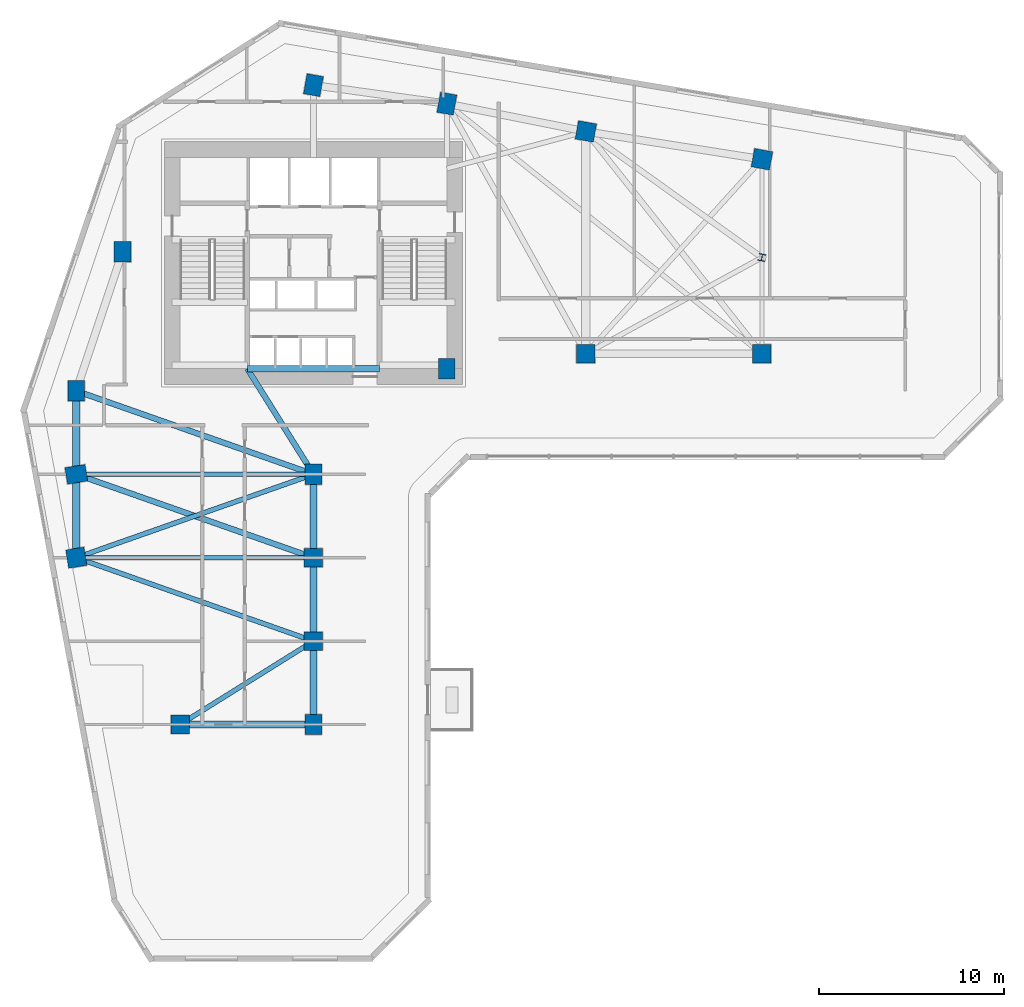
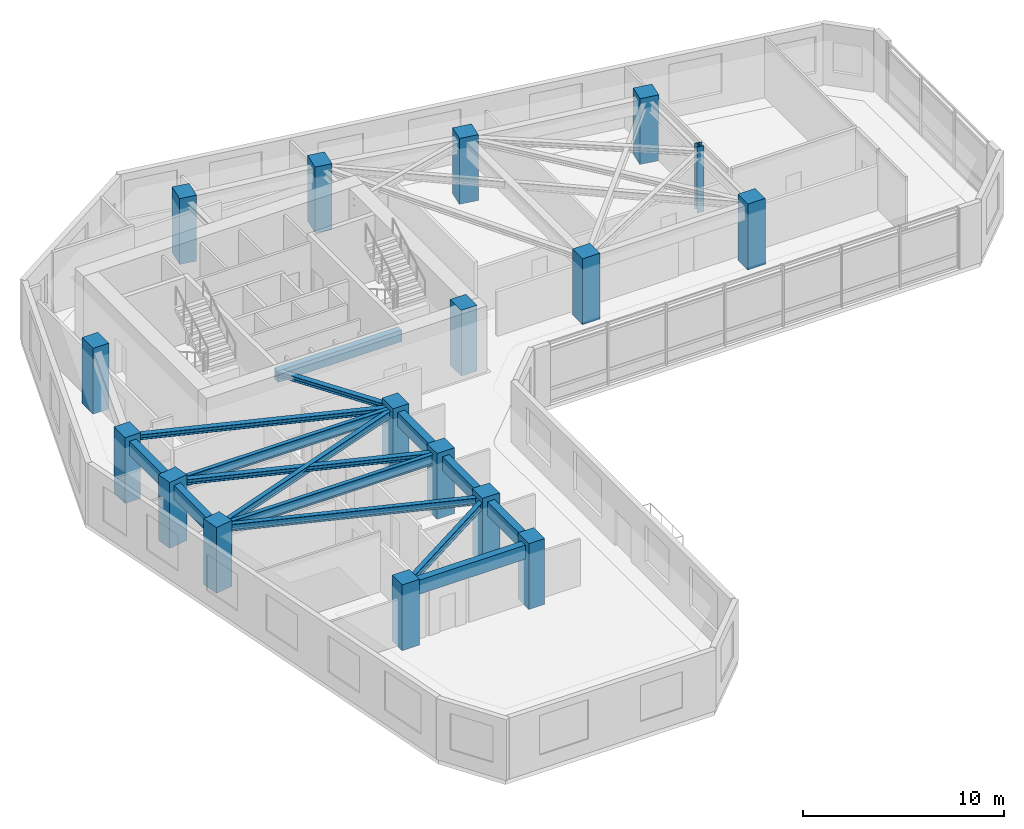
# One storey, part 1 of 11: 17 columns, 15 beams.
"""IFC4 building model written with IfcOpenShell, lengths in metres."""

from ifc_helpers import new_model, si_unit, direction, frame, origin, origin_2d, place, context, subcontext, project, spatial, rectangle, i_section, extrude, source, transform, mapped, material, material_profile, profile_set, type_object, element, save


model = new_model("IFC4")

# Units and contexts
model_context = context("Model", 3, precision=1e-05, world=origin(), true_north=direction((0.0, 1.0)))
body_context = subcontext(model_context, "Body", "Model", "MODEL_VIEW")
ifc_project = project(units=[si_unit("LENGTHUNIT", "METRE"), si_unit("AREAUNIT", "SQUARE_METRE"), si_unit("VOLUMEUNIT", "CUBIC_METRE"), si_unit("PLANEANGLEUNIT", "RADIAN"), si_unit("MASSUNIT", "GRAM", prefix="KILO")], contexts=[model_context])

# Site, building, storey
site_placement = place(None, origin())
site = spatial("IfcSite", under=ifc_project, at=site_placement, CompositionType="ELEMENT")
building_placement = place(site_placement, origin())
building = spatial("IfcBuilding", under=site, at=building_placement, Name="Calvemar Wedge Station Tower", CompositionType="ELEMENT")
storey_placement = place(building_placement, frame((0.0, 0.0, 59.0)))
storey = spatial("IfcBuildingStorey", under=building, at=storey_placement, Name="L14", CompositionType="ELEMENT", Elevation=59.0)

# Columns
ifc_material_1 = material(Name="Concrete C70", Category="concrete")
ifc_material_profile_1 = material_profile(ifc_material_1, rectangle(XDim=0.89990234375, YDim=1.10009765625, at=origin_2d()), Name="RC1100x900")
ifc_profile_set_1 = profile_set([ifc_material_profile_1], Name="Concrete C70")
column_type_1 = type_object("IfcColumnType", Name="COL-C3-1100x900", PredefinedType="COLUMN", material=ifc_profile_set_1)
shared_shape_1 = source(origin(), body_context, "Body", "SweptSolid", [
    extrude(rectangle(XDim=0.89990234375, YDim=1.10009765625, at=origin_2d()), origin(), (0.0, 0.0, 1.0), 4.0),
])
for number, where, z_axis, x_axis, name in (
    (1, (11.0, 33.0, 0.0), (0.0, 0.0, 1.0), (1.0, 0.0, 0.0), "Storey L14 Column T-NW1"),
    (2, (13.5, 40.5, 0.0), (0.0, 0.0, 1.0), (1.0, 0.0, 0.0), "Storey L14 Column T-NW2"),
    (3, (23.800048828125, 49.5, 0.0), (0.0, 0.0, 1.0), (0.984195607969, -0.17708474032, 0.0), "Storey L14 Column T-N1"),
    (4, (31.0, 48.5, 0.0), (0.0, 0.0, 1.0), (0.984195607969, -0.17708474032, 0.0), "Storey L14 Column T-N2"),
    (5, (31.0, 34.199951171875, 0.0), (0.0, 0.0, 1.0), (1.0, 0.0, 0.0), "Storey L14 Column T-NL1"),
    (6, (11.0, 28.5, 0.0), (0.0, 0.0, 1.0), (0.158158067254, -0.987413806751, 0.0), "Storey L14 Column T-SW1"),
    (7, (23.800048828125, 28.5, 0.0), (0.0, 0.0, 1.0), (1.0, 0.0, 0.0), "Storey L14 Column T-SE1"),
    (8, (23.800048828125, 15.0, 0.0), (0.0, 0.0, 1.0), (1.0, 0.0, 0.0), "Storey L14 Column T-SE4"),
):
    element("IfcColumn", number, at=place(storey_placement, frame(where, z_axis=z_axis, x_axis=x_axis)), inside=storey, type_object=column_type_1, Name=name, PredefinedType="COLUMN", context=body_context, shape_type="MappedRepresentation", body=[
        mapped(shared_shape_1, transform((0.0, 0.0, 0.0), scale=1.0)),
    ])
ifc_material_2 = material(Name="Concrete C60", Category="concrete")
ifc_material_profile_2 = material_profile(ifc_material_2, rectangle(XDim=1.0, YDim=1.0, at=origin_2d()), Name="RC1000x1000")
ifc_profile_set_2 = profile_set([ifc_material_profile_2], Name="Concrete C60")
column_type_2 = type_object("IfcColumnType", Name="COL-C4-1000", PredefinedType="COLUMN", material=ifc_profile_set_2)
shared_shape_2 = source(origin(), body_context, "Body", "SweptSolid", [
    extrude(rectangle(XDim=1.0, YDim=1.0, at=origin_2d()), origin(), (0.0, 0.0, 1.0), 4.0),
])
for number, where, z_axis, x_axis, name in (
    (9, (38.5, 47.0, 0.0), (0.0, 0.0, 1.0), (0.984195607969, -0.17708474032, 0.0), "Storey L14 Column T-NU3"),
    (10, (48.0, 45.5, 0.0), (0.0, 0.0, 1.0), (0.984195607969, -0.17708474032, 0.0), "Storey L14 Column T-NU4"),
    (11, (38.5, 35.0, 0.0), (0.0, 0.0, 1.0), (1.0, 0.0, 0.0), "Storey L14 Column T-NL2"),
    (12, (48.0, 35.0, 0.0), (0.0, 0.0, 1.0), (1.0, 0.0, 0.0), "Storey L14 Column T-NL3"),
    (13, (11.0, 24.0, 0.0), (0.0, 0.0, 1.0), (0.158158067254, -0.987413806751, 0.0), "Storey L14 Column T-SW2"),
    (14, (23.800048828125, 24.0, 0.0), (0.0, 0.0, 1.0), (1.0, 0.0, 0.0), "Storey L14 Column T-SE2"),
    (15, (23.800048828125, 19.5, 0.0), (0.0, 0.0, 1.0), (1.0, 0.0, 0.0), "Storey L14 Column T-SE3"),
    (16, (16.60009765625, 15.0, 0.0), (0.0, 0.0, 1.0), (1.0, 0.0, 0.0), "Storey L14 Column T-SM1"),
):
    element("IfcColumn", number, at=place(storey_placement, frame(where, z_axis=z_axis, x_axis=x_axis)), inside=storey, type_object=column_type_2, Name=name, PredefinedType="COLUMN", context=body_context, shape_type="MappedRepresentation", body=[
        mapped(shared_shape_2, transform((0.0, 0.0, 0.0), scale=1.0)),
    ])
ifc_material_3 = material(Name="Structural steel ASTM A572 Grade 50", Category="steel")
ifc_material_profile_3 = material_profile(ifc_material_3, i_section(OverallWidth=0.3740234375, OverallDepth=0.3720703125, WebThickness=0.016357421875, FlangeThickness=0.026123046875, FilletRadius=0.014892578125, at=origin_2d()), Name="W360x196")
ifc_profile_set_3 = profile_set([ifc_material_profile_3], Name="Structural steel ASTM A572 Grade 50")
column_type_3 = type_object("IfcColumnType", Name="COL-STL-W360", PredefinedType="COLUMN", material=ifc_profile_set_3)
shared_shape_3 = source(origin(), body_context, "Body", "SweptSolid", [
    extrude(i_section(OverallWidth=0.3740234375, OverallDepth=0.3720703125, WebThickness=0.016357421875, FlangeThickness=0.026123046875, FilletRadius=0.014892578125, at=origin_2d()), origin(), (0.0, 0.0, 1.0), 4.0),
])
column_placement = place(storey_placement, frame((48.0, 40.199951171875, 0.0), z_axis=(0.0, 0.0, 1.0), x_axis=(0.984195607969, -0.17708474032, 0.0)))
element("IfcColumn", 17, at=column_placement, inside=storey, type_object=column_type_3, Name="Storey L14 Column T-NTIP-A", PredefinedType="COLUMN", context=body_context, shape_type="MappedRepresentation", body=[
    mapped(shared_shape_3, transform((0.0, 0.0, 0.0), scale=1.0)),
])

# Beams
ifc_material_profile_4 = material_profile(ifc_material_2, rectangle(XDim=0.39990234375, YDim=0.85009765625, at=origin_2d()), Name="RC400x850")
ifc_profile_set_4 = profile_set([ifc_material_profile_4], Name="Concrete C60")
beam_type_1 = type_object("IfcBeamType", Name="BM-SP1-850", PredefinedType="SPANDREL", material=ifc_profile_set_4)
shared_shape_4 = source(origin(), body_context, "Body", "SweptSolid", [
    extrude(rectangle(XDim=0.39990234375, YDim=0.85009765625, at=origin_2d()), origin(), (0.0, 0.0, 1.0), 4.5),
])
for number, where, z_axis, x_axis, name in (
    (18, (11.0, 33.0, 3.27490234375), (0.0, -1.0, 0.0), (1.0, 0.0, 0.0), "Storey L14 Spandrel T-NW1-T-SW1"),
    (19, (11.0, 28.5, 3.27490234375), (0.0, -1.0, 0.0), (1.0, 0.0, 0.0), "Storey L14 Spandrel T-SW1-T-SW2"),
    (20, (23.800048828125, 28.5, 3.27490234375), (0.0, -1.0, 0.0), (1.0, 0.0, 0.0), "Storey L14 Spandrel T-SE1-T-SE2"),
    (21, (23.800048828125, 24.0, 3.27490234375), (0.0, -1.0, 0.0), (1.0, 0.0, 0.0), "Storey L14 Spandrel T-SE2-T-SE3"),
    (22, (23.800048828125, 19.5, 3.27490234375), (0.0, -1.0, 0.0), (1.0, 0.0, 0.0), "Storey L14 Spandrel T-SE3-T-SE4"),
):
    element("IfcBeam", number, at=place(storey_placement, frame(where, z_axis=z_axis, x_axis=x_axis)), inside=storey, type_object=beam_type_1, Name=name, PredefinedType="SPANDREL", context=body_context, shape_type="MappedRepresentation", body=[
        mapped(shared_shape_4, transform((0.0, 0.0, 0.0), scale=1.0)),
    ])
shared_shape_5 = source(origin(), body_context, "Body", "SweptSolid", [
    extrude(rectangle(XDim=0.39990234375, YDim=0.85009765625, at=origin_2d()), origin(), (0.0, 0.0, 1.0), 7.199951171875),
])
beam_1_placement = place(storey_placement, frame((16.60009765625, 15.0, 3.27490234375), z_axis=(1.0, 0.0, 0.0), x_axis=(0.0, 1.0, 0.0)))
element("IfcBeam", 23, at=beam_1_placement, inside=storey, type_object=beam_type_1, Name="Storey L14 Spandrel T-SM1-T-SE4", PredefinedType="SPANDREL", context=body_context, shape_type="MappedRepresentation", body=[
    mapped(shared_shape_5, transform((0.0, 0.0, 0.0), scale=1.0)),
])
ifc_material_profile_5 = material_profile(ifc_material_3, i_section(OverallWidth=0.22998046875, OverallDepth=0.616943359375, WebThickness=0.01318359375, FlangeThickness=0.022216796875, FilletRadius=0.012939453125, at=origin_2d()), Name="W610x140")
ifc_profile_set_5 = profile_set([ifc_material_profile_5], Name="Structural steel ASTM A572 Grade 50")
beam_type_2 = type_object("IfcBeamType", Name="BM-SB2-W610", PredefinedType="BEAM", material=ifc_profile_set_5)
shared_shape_6 = source(origin(), body_context, "Body", "SweptSolid", [
    extrude(i_section(OverallWidth=0.22998046875, OverallDepth=0.616943359375, WebThickness=0.01318359375, FlangeThickness=0.022216796875, FilletRadius=0.012939453125, at=origin_2d()), origin(), (0.0, 0.0, 1.0), 12.800048828125),
])
for number, where, z_axis, x_axis, name in (
    (24, (11.0, 28.5, 3.3916015625), (1.0, 0.0, 0.0), (0.0, 1.0, 0.0), "Storey L14 Floor Beam T-SW1-T-SE1"),
    (25, (11.0, 24.0, 3.3916015625), (1.0, 0.0, 0.0), (0.0, 1.0, 0.0), "Storey L14 Floor Beam T-SW2-T-SE2"),
):
    element("IfcBeam", number, at=place(storey_placement, frame(where, z_axis=z_axis, x_axis=x_axis)), inside=storey, type_object=beam_type_2, Name=name, PredefinedType="BEAM", context=body_context, shape_type="MappedRepresentation", body=[
        mapped(shared_shape_6, transform((0.0, 0.0, 0.0), scale=1.0)),
    ])
ifc_material_profile_6 = material_profile(ifc_material_1, rectangle(XDim=0.35009765625, YDim=0.699951171875, at=origin_2d()), Name="RC350x700")
ifc_profile_set_6 = profile_set([ifc_material_profile_6], Name="Concrete C70")
beam_type_3 = type_object("IfcBeamType", Name="BM-LN1-700", PredefinedType="LINTEL", material=ifc_profile_set_6)
shared_shape_7 = source(origin(), body_context, "Body", "SweptSolid", [
    extrude(rectangle(XDim=0.35009765625, YDim=0.699951171875, at=origin_2d()), origin(), (0.0, 0.0, 1.0), 7.10009765625),
])
beam_2_placement = place(storey_placement, frame((20.25, 34.199951171875, 3.35009765625), z_axis=(1.0, 0.0, 0.0), x_axis=(0.0, 1.0, 0.0)))
element("IfcBeam", 26, at=beam_2_placement, inside=storey, type_object=beam_type_3, Name="Storey L14 Core Coupling Lintel South", PredefinedType="LINTEL", context=body_context, shape_type="MappedRepresentation", body=[
    mapped(shared_shape_7, transform((0.0, 0.0, 0.0), scale=1.0)),
])
ifc_material_profile_7 = material_profile(ifc_material_3, i_section(OverallWidth=0.304931640625, OverallDepth=0.30810546875, WebThickness=0.010009765625, FlangeThickness=0.015380859375, FilletRadius=0.014892578125, at=origin_2d()), Name="W310x97")
ifc_profile_set_7 = profile_set([ifc_material_profile_7], Name="Structural steel ASTM A572 Grade 50")
beam_type_4 = type_object("IfcBeamType", Name="BM-J6-W310", PredefinedType="JOIST", material=ifc_profile_set_7)
shared_shape_8 = source(origin(), body_context, "Body", "SweptSolid", [
    extrude(i_section(OverallWidth=0.304931640625, OverallDepth=0.30810546875, WebThickness=0.010009765625, FlangeThickness=0.015380859375, FilletRadius=0.014892578125, at=origin_2d()), origin(), (0.0, 0.0, 1.0), 13.568115234375),
])
for number, where, z_axis, x_axis, name in (
    (27, (11.0, 33.0, 3.5458984375), (0.943398221169, -0.331662171939, 0.0), (0.331662171939, 0.943398221169, 0.0), "Storey L14 Floor Beam T-NW1-T-SE1"),
    (28, (11.0, 28.5, 3.5458984375), (0.943398221169, -0.331662171939, 0.0), (0.331662171939, 0.943398221169, 0.0), "Storey L14 Floor Beam T-SW1-T-SE2"),
):
    element("IfcBeam", number, at=place(storey_placement, frame(where, z_axis=z_axis, x_axis=x_axis)), inside=storey, type_object=beam_type_4, Name=name, PredefinedType="JOIST", context=body_context, shape_type="MappedRepresentation", body=[
        mapped(shared_shape_8, transform((0.0, 0.0, 0.0), scale=1.0)),
    ])
ifc_material_profile_8 = material_profile(ifc_material_3, i_section(OverallWidth=0.260986328125, OverallDepth=0.419921875, WebThickness=0.01171875, FlangeThickness=0.019287109375, FilletRadius=0.012939453125, at=origin_2d()), Name="W410x114")
ifc_profile_set_8 = profile_set([ifc_material_profile_8], Name="Structural steel ASTM A572 Grade 50")
beam_type_5 = type_object("IfcBeamType", Name="BM-J2-W410H", PredefinedType="JOIST", material=ifc_profile_set_8)
shared_shape_9 = source(origin(), body_context, "Body", "SweptSolid", [
    extrude(i_section(OverallWidth=0.260986328125, OverallDepth=0.419921875, WebThickness=0.01171875, FlangeThickness=0.019287109375, FilletRadius=0.012939453125, at=origin_2d()), origin(), (0.0, 0.0, 1.0), 13.568115234375),
])
for number, where, z_axis, x_axis, name in (
    (29, (23.800048828125, 28.5, 3.489990234375), (-0.943398221169, -0.331662171939, 0.0), (0.331662171939, -0.943398221169, 0.0), "Storey L14 Floor Beam T-SE1-T-SW2"),
    (30, (11.0, 24.0, 3.489990234375), (0.943398221169, -0.331662171939, 0.0), (0.331662171939, 0.943398221169, 0.0), "Storey L14 Floor Beam T-SW2-T-SE3"),
):
    element("IfcBeam", number, at=place(storey_placement, frame(where, z_axis=z_axis, x_axis=x_axis)), inside=storey, type_object=beam_type_5, Name=name, PredefinedType="JOIST", context=body_context, shape_type="MappedRepresentation", body=[
        mapped(shared_shape_9, transform((0.0, 0.0, 0.0), scale=1.0)),
    ])
shared_shape_10 = source(origin(), body_context, "Body", "SweptSolid", [
    extrude(i_section(OverallWidth=0.260986328125, OverallDepth=0.419921875, WebThickness=0.01171875, FlangeThickness=0.019287109375, FilletRadius=0.012939453125, at=origin_2d()), origin(), (0.0, 0.0, 1.0), 8.490478515625),
])
beam_3_placement = place(storey_placement, frame((23.800048828125, 19.5, 3.489990234375), z_axis=(-0.847996688584, -0.530001524668, 0.0), x_axis=(0.530001524668, -0.847996688584, 0.0)))
element("IfcBeam", 31, at=beam_3_placement, inside=storey, type_object=beam_type_5, Name="Storey L14 Floor Beam T-SE3-T-SM1", PredefinedType="JOIST", context=body_context, shape_type="MappedRepresentation", body=[
    mapped(shared_shape_10, transform((0.0, 0.0, 0.0), scale=1.0)),
])
shared_shape_11 = source(origin(), body_context, "Body", "SweptSolid", [
    extrude(i_section(OverallWidth=0.304931640625, OverallDepth=0.30810546875, WebThickness=0.010009765625, FlangeThickness=0.015380859375, FilletRadius=0.014892578125, at=origin_2d()), origin(), (0.0, 0.0, 1.0), 6.7255859375),
])
beam_4_placement = place(storey_placement, frame((20.22998046875, 34.199951171875, 3.5458984375), z_axis=(0.530811158438, -0.847490126242, 0.0), x_axis=(0.847490126242, 0.530811158438, 0.0)))
element("IfcBeam", 32, at=beam_4_placement, inside=storey, type_object=beam_type_4, Name="Storey L14 Core-to-Column Joist CJ-S2", PredefinedType="JOIST", context=body_context, shape_type="MappedRepresentation", body=[
    mapped(shared_shape_11, transform((0.0, 0.0, 0.0), scale=1.0)),
])

save(model, "model.ifc")
